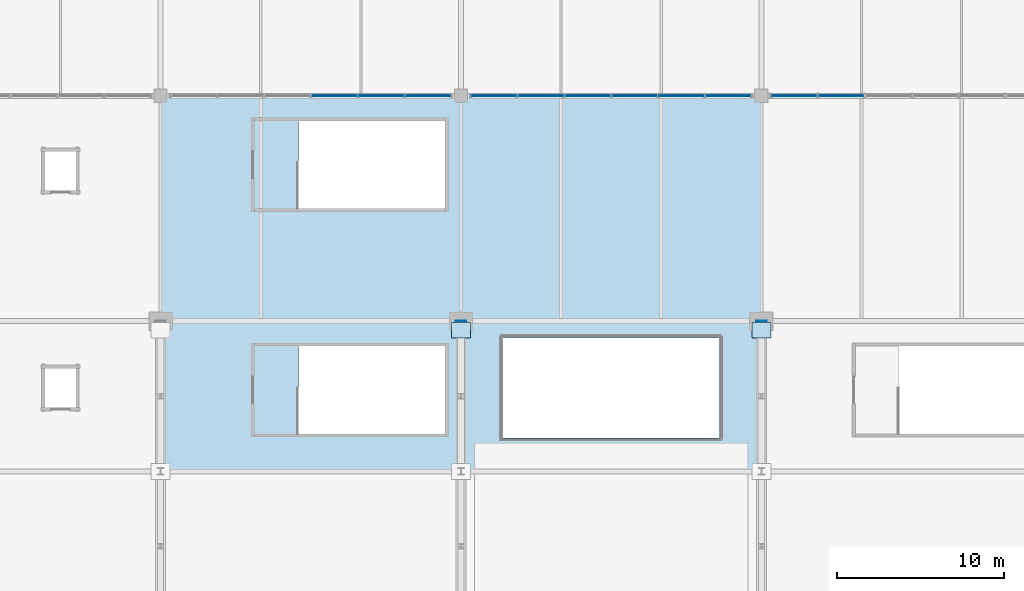
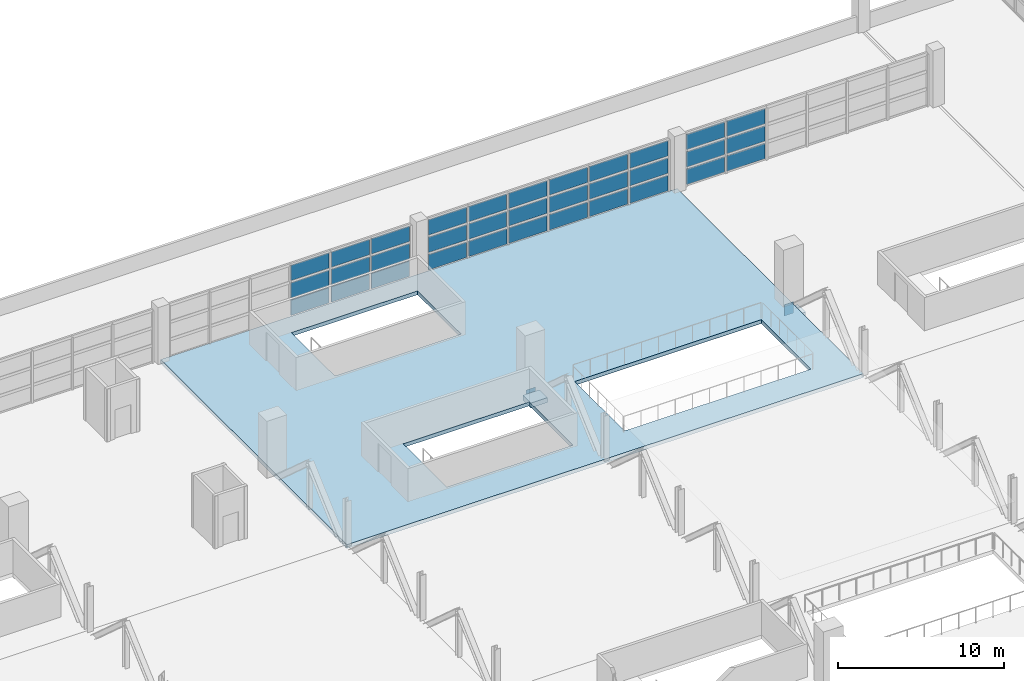
# One storey, part 108 of 136: 37 plates, 1 slab, 3 elements without a shape of their own.
"""IFC4 building model written with IfcOpenShell, lengths in metres."""

import ifcopenshell
import ifcopenshell.guid

model = None  # the IFC model being written
_history = None  # IfcOwnerHistory: only IFC2X3 demands one
_inside = {}  # id of a spatial element -> (the spatial element, [elements in it])
_under = {}  # id of a project, library or spatial element -> (it, [spatial elements below it])
_declared = {}  # id of a project -> (the project, [libraries it declares])
_typed = {}  # id of a type object -> (the type object, [elements of that type])
_made_of = {}  # id of a material, layer set ... -> (it, [elements and type objects made of it])


def new_model(schema):
    """Start an empty IFC model of exactly this schema.

    Asked for "IFC4X3", IfcOpenShell would pick the latest addendum, in which some entities
    have other attributes; the version numbers below select the first issue.
    IFC2X3 requires an IfcOwnerHistory on every rooted entity: one is made here for all.
    """
    global model, _history
    if schema == "IFC4X3":
        model = ifcopenshell.file(schema_version=(4, 3, 0, 0))
    else:
        model = ifcopenshell.file(schema=schema)
    _inside.clear()
    _under.clear()
    _declared.clear()
    _typed.clear()
    _made_of.clear()
    _history = None
    if model.schema == "IFC2X3":
        org = make("IfcOrganization", Name="unknown")
        user = make(
            "IfcPersonAndOrganization",
            ThePerson=make("IfcPerson", FamilyName="unknown"),
            TheOrganization=org,
        )
        app = make(
            "IfcApplication",
            ApplicationDeveloper=org,
            Version="unknown",
            ApplicationFullName="unknown",
            ApplicationIdentifier="unknown",
        )
        _history = make(
            "IfcOwnerHistory",
            OwningUser=user,
            OwningApplication=app,
            ChangeAction="ADDED",
            CreationDate=0,
        )
    return model


def make(cls, **values):
    """One entity of the class cls with the attributes given. An attribute that is None is left unset."""
    return model.create_entity(
        cls, **{name: value for name, value in values.items() if value is not None}
    )


def rooted(cls, **values):
    """An entity with a GlobalId (a new one), such as an element, a storey or a relation."""
    return make(cls, GlobalId=ifcopenshell.guid.new(), OwnerHistory=_history, **values)


def si_unit(unit_type, name, prefix=None):
    """IfcSIUnit, for example si_unit("LENGTHUNIT", "METRE", prefix="MILLI")."""
    return make("IfcSIUnit", UnitType=unit_type, Prefix=prefix, Name=name)


def assignment(units):
    """IfcUnitAssignment: the units of a project."""
    return None if units is None else make("IfcUnitAssignment", Units=units)


def point(xyz):
    """IfcCartesianPoint."""
    return None if xyz is None else make("IfcCartesianPoint", Coordinates=xyz)


def direction(xyz):
    """IfcDirection."""
    return None if xyz is None else make("IfcDirection", DirectionRatios=xyz)


def frame(location, z_axis=None, x_axis=None):
    """IfcAxis2Placement3D, a coordinate frame: its origin and axes. An axis left out is left unset."""
    return make(
        "IfcAxis2Placement3D",
        Location=point(location),
        Axis=direction(z_axis),
        RefDirection=direction(x_axis),
    )


def frame_2d(location, x_axis=None):
    """IfcAxis2Placement2D, a coordinate frame in the plane: its origin and x axis."""
    return make(
        "IfcAxis2Placement2D", Location=point(location), RefDirection=direction(x_axis)
    )


def origin():
    """The frame at (0, 0, 0) with its axes left unset."""
    return frame((0.0, 0.0, 0.0))


def origin_2d():
    """The frame at (0, 0) in the plane with its x axis left unset."""
    return frame_2d((0.0, 0.0))


def place(relative_to, where):
    """IfcLocalPlacement: puts the frame where relative to a parent placement (None: the world)."""
    return make(
        "IfcLocalPlacement", PlacementRelTo=relative_to, RelativePlacement=where
    )


def context(
    kind, dimensions, precision=None, world=None, true_north=None, identifier=None
):
    """IfcGeometricRepresentationContext, for example the 3D "Model" context."""
    return make(
        "IfcGeometricRepresentationContext",
        ContextIdentifier=identifier,
        ContextType=kind,
        CoordinateSpaceDimension=dimensions,
        Precision=precision,
        WorldCoordinateSystem=world,
        TrueNorth=true_north,
    )


def subcontext(parent, identifier, kind, view, scale=None):
    """IfcGeometricRepresentationSubContext, for example "Body" below "Model"."""
    return make(
        "IfcGeometricRepresentationSubContext",
        ContextIdentifier=identifier,
        ContextType=kind,
        ParentContext=parent,
        TargetScale=scale,
        TargetView=view,
    )


def project(units=None, contexts=None):
    """IfcProject with its units and contexts."""
    return rooted(
        "IfcProject",
        Name="project",
        RepresentationContexts=contexts,
        UnitsInContext=assignment(units),
    )


def spatial(cls, under=None, at=None, **own):
    """A site, building, storey or space (cls), placed at a placement, below another one or the project."""
    s = rooted(cls, ObjectPlacement=at, **own)
    if under is not None:
        _under.setdefault(under.id(), (under, []))[1].append(s)
    return s


def polyline(points):
    """IfcPolyline through the points."""
    return make("IfcPolyline", Points=[point(p) for p in points])


def profile(cls, at=None, kind="AREA", **sizes):
    """A parametric profile (cls). Its sizes go by their IFC names, for example OverallWidth=200.0."""
    return make(cls, ProfileType=kind, Position=at, **sizes)


def rectangle(**sizes):
    """IfcRectangleProfileDef."""
    return profile("IfcRectangleProfileDef", **sizes)


def outline(outer, holes=None, kind="AREA"):
    """IfcArbitraryClosedProfileDef: a profile drawn as a closed curve; with holes, ...WithVoids."""
    if holes is None:
        return make("IfcArbitraryClosedProfileDef", ProfileType=kind, OuterCurve=outer)
    return make(
        "IfcArbitraryProfileDefWithVoids",
        ProfileType=kind,
        OuterCurve=outer,
        InnerCurves=holes,
    )


def extrude(swept, where, along, depth):
    """IfcExtrudedAreaSolid: the profile swept, set in the frame where, extruded along a direction by depth."""
    return make(
        "IfcExtrudedAreaSolid",
        SweptArea=swept,
        Position=where,
        ExtrudedDirection=direction(along),
        Depth=depth,
    )


def shape(context_of_items, identifier, shape_type, items):
    """IfcShapeRepresentation: the items that make up one representation, for example the "Body"."""
    return make(
        "IfcShapeRepresentation",
        ContextOfItems=context_of_items,
        RepresentationIdentifier=identifier,
        RepresentationType=shape_type,
        Items=items,
    )


def material(Name=None, Category=None):
    """IfcMaterial."""
    return make("IfcMaterial", Name=Name, Category=Category)


def layer(
    of_material, thickness, ventilated=None, Name=None, Category=None, Priority=None
):
    """IfcMaterialLayer: one layer of a wall or slab, of a material (None: an air gap)."""
    return make(
        "IfcMaterialLayer",
        Material=of_material,
        LayerThickness=thickness,
        IsVentilated=ventilated,
        Name=Name,
        Category=Category,
        Priority=Priority,
    )


def layer_set(layers, Name=None):
    """IfcMaterialLayerSet."""
    return make("IfcMaterialLayerSet", MaterialLayers=layers, LayerSetName=Name)


def made_of(thing, what):
    """Note that an element or type object is made of a material, layer set ...; save() writes the relation."""
    if what is not None:
        _made_of.setdefault(what.id(), (what, []))[1].append(thing)
    return thing


def type_object(cls, material=None, **own):
    """A type object (cls), such as IfcWallType, which elements share."""
    return made_of(rooted(cls, **own), material)


def element(
    cls,
    number,
    at=None,
    inside=None,
    cuts=None,
    type_object=None,
    material=None,
    context=None,
    identifier="Body",
    shape_type=None,
    held_by="IfcProductDefinitionShape",
    body=None,
    shapes=None,
    **own,
):
    """One element of the class cls, such as IfcWall. Its Tag is "e" and its number.

    at: its placement. inside: the storey or other place that contains it. cuts: it is an
    opening in that element (IfcRelVoidsElement). A single representation is given by context,
    identifier, shape_type and body (its items); several are given by shapes. held_by: the class
    of the entity that holds the representations. save() writes the other relations.
    """
    e = rooted(cls, Tag="e%d" % number, ObjectPlacement=at, **own)
    if body is not None:
        shapes = [shape(context, identifier, shape_type, body)]
    if shapes is not None:
        e.Representation = make(held_by, Representations=shapes)
    if inside is not None:
        _inside.setdefault(inside.id(), (inside, []))[1].append(e)
    if cuts is not None:
        rooted(
            "IfcRelVoidsElement", RelatingBuildingElement=cuts, RelatedOpeningElement=e
        )
    if type_object is not None:
        _typed.setdefault(type_object.id(), (type_object, []))[1].append(e)
    return made_of(e, material)


def aggregate(whole, parts):
    """IfcRelAggregates: a whole, such as a stair, and the parts it consists of."""
    return rooted("IfcRelAggregates", RelatingObject=whole, RelatedObjects=parts)


def save(model, path):
    """Write the relations noted so far, then the file.

    IfcRelAggregates (storeys below a building ...), IfcRelContainedInSpatialStructure (elements
    in a storey), IfcRelDefinesByType, IfcRelAssociatesMaterial and IfcRelDeclares: one each for
    every whole, place, type object, material and project.
    """
    for whole, parts in _under.values():
        aggregate(whole, parts)
    for where, things in _inside.values():
        rooted(
            "IfcRelContainedInSpatialStructure",
            RelatedElements=things,
            RelatingStructure=where,
        )
    for kind, things in _typed.values():
        rooted("IfcRelDefinesByType", RelatedObjects=things, RelatingType=kind)
    for what, things in _made_of.values():
        rooted("IfcRelAssociatesMaterial", RelatedObjects=things, RelatingMaterial=what)
    for by, libraries in _declared.values():
        rooted("IfcRelDeclares", RelatingContext=by, RelatedDefinitions=libraries)
    model.write(path)


model = new_model("IFC4")

# Units and contexts
model_context = context("Model", 3, precision=1e-05, world=origin(), true_north=direction((0.0, 1.0)))
body_context = subcontext(model_context, "Body", "Model", "MODEL_VIEW")
ifc_project = project(units=[si_unit("LENGTHUNIT", "METRE"), si_unit("AREAUNIT", "SQUARE_METRE"), si_unit("VOLUMEUNIT", "CUBIC_METRE"), si_unit("PLANEANGLEUNIT", "RADIAN"), si_unit("MASSUNIT", "GRAM", prefix="KILO")], contexts=[model_context])

# Site, building, storey
site_placement = place(None, origin())
site = spatial("IfcSite", under=ifc_project, at=site_placement, CompositionType="ELEMENT")
building_placement = place(site_placement, origin())
building = spatial("IfcBuilding", under=site, at=building_placement, Name="Chuanluo Vaults Station", CompositionType="ELEMENT")
storey_placement = place(building_placement, frame((0.0, 0.0, 6.60009765625)))
storey = spatial("IfcBuildingStorey", under=building, at=storey_placement, Name="L01", CompositionType="ELEMENT", Elevation=6.60009765625)

# Curtain wall, plates
ifc_material_1 = material(Name="Anodised aluminium 6063-T6", Category="aluminium")
curtain_wall_type_1 = type_object("IfcCurtainWallType", Name="CW-SYS-15", PredefinedType="NOTDEFINED", material=ifc_material_1)
curtain_wall_1_placement = place(storey_placement, origin())
curtain_wall_1 = element("IfcCurtainWall", 1, at=curtain_wall_1_placement, inside=storey, type_object=curtain_wall_type_1, Name="Over-track V4 north facade CW", PredefinedType="NOTDEFINED")
ifc_material_2 = material(Name="Ceramic-fritted spandrel glass", Category="glass")
ifc_layer_1 = layer(ifc_material_2, 0.06396484375)
ifc_layer_set_1 = layer_set([ifc_layer_1], Name="Ceramic-fritted spandrel glass")
plate_type_1 = type_object("IfcPlateType", Name="CWP-SPN-42", PredefinedType="SHEET", material=ifc_layer_set_1)
plate_1_placement = place(storey_placement, frame((64.404296875, 117.0, 0.080078125), z_axis=(0.0, 0.0, 1.0), x_axis=(1.0, 0.0, 0.0)))
plate_1 = element("IfcPlate", 2, at=plate_1_placement, type_object=plate_type_1, Name="Over-track V4 north facade CW glazed panel 4.1", PredefinedType="SHEET", context=body_context, shape_type="SweptSolid", body=[
    extrude(rectangle(XDim=2.648193359375, YDim=0.06396484375, at=origin_2d()), origin(), (0.0, 0.0, 1.0), 1.123291015625),
])
plate_2_placement = place(storey_placement, frame((67.21240234375, 117.0, 0.080078125), z_axis=(0.0, 0.0, 1.0), x_axis=(1.0, 0.0, 0.0)))
plate_2 = element("IfcPlate", 3, at=plate_2_placement, type_object=plate_type_1, Name="Over-track V4 north facade CW glazed panel 5.1", PredefinedType="SHEET", context=body_context, shape_type="SweptSolid", body=[
    extrude(rectangle(XDim=2.648193359375, YDim=0.06396484375, at=origin_2d()), origin(), (0.0, 0.0, 1.0), 1.123291015625),
])
plate_3_placement = place(storey_placement, frame((70.020751953125, 117.0, 0.080078125), z_axis=(0.0, 0.0, 1.0), x_axis=(1.0, 0.0, 0.0)))
plate_3 = element("IfcPlate", 4, at=plate_3_placement, type_object=plate_type_1, Name="Over-track V4 north facade CW glazed panel 6.1", PredefinedType="SHEET", context=body_context, shape_type="SweptSolid", body=[
    extrude(rectangle(XDim=2.648193359375, YDim=0.06396484375, at=origin_2d()), origin(), (0.0, 0.0, 1.0), 1.123291015625),
])

ifc_material_3 = material(Name="Anodised aluminium 6063-T6", Category="aluminium")
curtain_wall_type_2 = type_object("IfcCurtainWallType", Name="CW-SYS-19", PredefinedType="NOTDEFINED", material=ifc_material_3)
curtain_wall_2_placement = place(storey_placement, origin())
curtain_wall_2 = element("IfcCurtainWall", 5, at=curtain_wall_2_placement, inside=storey, type_object=curtain_wall_type_2, Name="Over-track V5 north facade CW", PredefinedType="NOTDEFINED")
plate_4_placement = place(storey_placement, frame((73.979248046875, 117.0, 0.080078125), z_axis=(0.0, 0.0, 1.0), x_axis=(1.0, 0.0, 0.0)))
plate_4 = element("IfcPlate", 6, at=plate_4_placement, type_object=plate_type_1, Name="Over-track V5 north facade CW glazed panel 1.1", PredefinedType="SHEET", context=body_context, shape_type="SweptSolid", body=[
    extrude(rectangle(XDim=2.648193359375, YDim=0.06396484375, at=origin_2d()), origin(), (0.0, 0.0, 1.0), 1.123291015625),
])
plate_5_placement = place(storey_placement, frame((76.78759765625, 117.0, 0.080078125), z_axis=(0.0, 0.0, 1.0), x_axis=(1.0, 0.0, 0.0)))
plate_5 = element("IfcPlate", 7, at=plate_5_placement, type_object=plate_type_1, Name="Over-track V5 north facade CW glazed panel 2.1", PredefinedType="SHEET", context=body_context, shape_type="SweptSolid", body=[
    extrude(rectangle(XDim=2.648193359375, YDim=0.06396484375, at=origin_2d()), origin(), (0.0, 0.0, 1.0), 1.123291015625),
])
plate_6_placement = place(storey_placement, frame((79.595703125, 117.0, 0.080078125), z_axis=(0.0, 0.0, 1.0), x_axis=(1.0, 0.0, 0.0)))
plate_6 = element("IfcPlate", 8, at=plate_6_placement, type_object=plate_type_1, Name="Over-track V5 north facade CW glazed panel 3.1", PredefinedType="SHEET", context=body_context, shape_type="SweptSolid", body=[
    extrude(rectangle(XDim=2.648193359375, YDim=0.06396484375, at=origin_2d()), origin(), (0.0, 0.0, 1.0), 1.123291015625),
])
plate_7_placement = place(storey_placement, frame((82.404296875, 117.0, 0.080078125), z_axis=(0.0, 0.0, 1.0), x_axis=(1.0, 0.0, 0.0)))
plate_7 = element("IfcPlate", 9, at=plate_7_placement, type_object=plate_type_1, Name="Over-track V5 north facade CW glazed panel 4.1", PredefinedType="SHEET", context=body_context, shape_type="SweptSolid", body=[
    extrude(rectangle(XDim=2.648193359375, YDim=0.06396484375, at=origin_2d()), origin(), (0.0, 0.0, 1.0), 1.123291015625),
])
plate_8_placement = place(storey_placement, frame((85.21240234375, 117.0, 0.080078125), z_axis=(0.0, 0.0, 1.0), x_axis=(1.0, 0.0, 0.0)))
plate_8 = element("IfcPlate", 10, at=plate_8_placement, type_object=plate_type_1, Name="Over-track V5 north facade CW glazed panel 5.1", PredefinedType="SHEET", context=body_context, shape_type="SweptSolid", body=[
    extrude(rectangle(XDim=2.648193359375, YDim=0.06396484375, at=origin_2d()), origin(), (0.0, 0.0, 1.0), 1.123291015625),
])
plate_9_placement = place(storey_placement, frame((88.020751953125, 117.0, 0.080078125), z_axis=(0.0, 0.0, 1.0), x_axis=(1.0, 0.0, 0.0)))
plate_9 = element("IfcPlate", 11, at=plate_9_placement, type_object=plate_type_1, Name="Over-track V5 north facade CW glazed panel 6.1", PredefinedType="SHEET", context=body_context, shape_type="SweptSolid", body=[
    extrude(rectangle(XDim=2.648193359375, YDim=0.06396484375, at=origin_2d()), origin(), (0.0, 0.0, 1.0), 1.123291015625),
])

ifc_material_4 = material(Name="Anodised aluminium 6063-T6", Category="aluminium")
curtain_wall_type_3 = type_object("IfcCurtainWallType", Name="CW-SYS-22", PredefinedType="NOTDEFINED", material=ifc_material_4)
curtain_wall_3_placement = place(storey_placement, origin())
curtain_wall_3 = element("IfcCurtainWall", 12, at=curtain_wall_3_placement, inside=storey, type_object=curtain_wall_type_3, Name="Over-track V6 north facade CW", PredefinedType="NOTDEFINED")
ifc_material_5 = material(Name="Ceramic-fritted spandrel glass", Category="glass")
ifc_layer_2 = layer(ifc_material_5, 0.070068359375)
ifc_layer_set_2 = layer_set([ifc_layer_2], Name="Ceramic-fritted spandrel glass")
plate_type_2 = type_object("IfcPlateType", Name="CWP-SPN-50", PredefinedType="SHEET", material=ifc_layer_set_2)
plate_10_placement = place(storey_placement, frame((91.979248046875, 117.0, 0.080078125), z_axis=(0.0, 0.0, 1.0), x_axis=(1.0, 0.0, 0.0)))
plate_10 = element("IfcPlate", 13, at=plate_10_placement, type_object=plate_type_2, Name="Over-track V6 north facade CW glazed panel 1.1", PredefinedType="SHEET", context=body_context, shape_type="SweptSolid", body=[
    extrude(rectangle(XDim=2.648193359375, YDim=0.070068359375, at=origin_2d()), origin(), (0.0, 0.0, 1.0), 1.123291015625),
])
plate_11_placement = place(storey_placement, frame((94.78759765625, 117.0, 0.080078125), z_axis=(0.0, 0.0, 1.0), x_axis=(1.0, 0.0, 0.0)))
plate_11 = element("IfcPlate", 14, at=plate_11_placement, type_object=plate_type_2, Name="Over-track V6 north facade CW glazed panel 2.1", PredefinedType="SHEET", context=body_context, shape_type="SweptSolid", body=[
    extrude(rectangle(XDim=2.648193359375, YDim=0.070068359375, at=origin_2d()), origin(), (0.0, 0.0, 1.0), 1.123291015625),
])

# Plate
ifc_material_6 = material(Name="Double-silver Low-E laminated glass", Category="glass")
ifc_layer_3 = layer(ifc_material_6, 0.048095703125)
ifc_layer_set_3 = layer_set([ifc_layer_3], Name="Double-silver Low-E laminated glass")
plate_type_3 = type_object("IfcPlateType", Name="CWP-VIS-32", PredefinedType="CURTAIN_PANEL", material=ifc_layer_set_3)
plate_12_placement = place(storey_placement, frame((64.404296875, 117.0, 1.36328125), z_axis=(0.0, 0.0, 1.0), x_axis=(1.0, 0.0, 0.0)))
plate_12 = element("IfcPlate", 15, at=plate_12_placement, type_object=plate_type_3, Name="Over-track V4 north facade CW glazed panel 4.2", PredefinedType="CURTAIN_PANEL", context=body_context, shape_type="SweptSolid", body=[
    extrude(rectangle(XDim=2.648193359375, YDim=0.048095703125, at=origin_2d()), origin(), (0.0, 0.0, 1.0), 1.123291015625),
])

plate_13_placement = place(storey_placement, frame((64.404296875, 117.0, 2.646484375), z_axis=(0.0, 0.0, 1.0), x_axis=(1.0, 0.0, 0.0)))
plate_13 = element("IfcPlate", 16, at=plate_13_placement, type_object=plate_type_3, Name="Over-track V4 north facade CW glazed panel 4.3", PredefinedType="CURTAIN_PANEL", context=body_context, shape_type="SweptSolid", body=[
    extrude(rectangle(XDim=2.648193359375, YDim=0.048095703125, at=origin_2d()), origin(), (0.0, 0.0, 1.0), 1.123291015625),
])

plate_14_placement = place(storey_placement, frame((67.21240234375, 117.0, 1.36328125), z_axis=(0.0, 0.0, 1.0), x_axis=(1.0, 0.0, 0.0)))
plate_14 = element("IfcPlate", 17, at=plate_14_placement, type_object=plate_type_3, Name="Over-track V4 north facade CW glazed panel 5.2", PredefinedType="CURTAIN_PANEL", context=body_context, shape_type="SweptSolid", body=[
    extrude(rectangle(XDim=2.648193359375, YDim=0.048095703125, at=origin_2d()), origin(), (0.0, 0.0, 1.0), 1.123291015625),
])

plate_15_placement = place(storey_placement, frame((67.21240234375, 117.0, 2.646484375), z_axis=(0.0, 0.0, 1.0), x_axis=(1.0, 0.0, 0.0)))
plate_15 = element("IfcPlate", 18, at=plate_15_placement, type_object=plate_type_3, Name="Over-track V4 north facade CW glazed panel 5.3", PredefinedType="CURTAIN_PANEL", context=body_context, shape_type="SweptSolid", body=[
    extrude(rectangle(XDim=2.648193359375, YDim=0.048095703125, at=origin_2d()), origin(), (0.0, 0.0, 1.0), 1.123291015625),
])

plate_16_placement = place(storey_placement, frame((70.020751953125, 117.0, 1.36328125), z_axis=(0.0, 0.0, 1.0), x_axis=(1.0, 0.0, 0.0)))
plate_16 = element("IfcPlate", 19, at=plate_16_placement, type_object=plate_type_3, Name="Over-track V4 north facade CW glazed panel 6.2", PredefinedType="CURTAIN_PANEL", context=body_context, shape_type="SweptSolid", body=[
    extrude(rectangle(XDim=2.648193359375, YDim=0.048095703125, at=origin_2d()), origin(), (0.0, 0.0, 1.0), 1.123291015625),
])

plate_17_placement = place(storey_placement, frame((70.020751953125, 117.0, 2.646484375), z_axis=(0.0, 0.0, 1.0), x_axis=(1.0, 0.0, 0.0)))
plate_17 = element("IfcPlate", 20, at=plate_17_placement, type_object=plate_type_3, Name="Over-track V4 north facade CW glazed panel 6.3", PredefinedType="CURTAIN_PANEL", context=body_context, shape_type="SweptSolid", body=[
    extrude(rectangle(XDim=2.648193359375, YDim=0.048095703125, at=origin_2d()), origin(), (0.0, 0.0, 1.0), 1.123291015625),
])

aggregate(curtain_wall_1, [plate_1, plate_12, plate_13, plate_2, plate_14, plate_15, plate_3, plate_16, plate_17])

plate_18_placement = place(storey_placement, frame((73.979248046875, 117.0, 1.36328125), z_axis=(0.0, 0.0, 1.0), x_axis=(1.0, 0.0, 0.0)))
plate_18 = element("IfcPlate", 21, at=plate_18_placement, type_object=plate_type_3, Name="Over-track V5 north facade CW glazed panel 1.2", PredefinedType="CURTAIN_PANEL", context=body_context, shape_type="SweptSolid", body=[
    extrude(rectangle(XDim=2.648193359375, YDim=0.048095703125, at=origin_2d()), origin(), (0.0, 0.0, 1.0), 1.123291015625),
])

plate_19_placement = place(storey_placement, frame((73.979248046875, 117.0, 2.646484375), z_axis=(0.0, 0.0, 1.0), x_axis=(1.0, 0.0, 0.0)))
plate_19 = element("IfcPlate", 22, at=plate_19_placement, type_object=plate_type_3, Name="Over-track V5 north facade CW glazed panel 1.3", PredefinedType="CURTAIN_PANEL", context=body_context, shape_type="SweptSolid", body=[
    extrude(rectangle(XDim=2.648193359375, YDim=0.048095703125, at=origin_2d()), origin(), (0.0, 0.0, 1.0), 1.123291015625),
])

plate_20_placement = place(storey_placement, frame((76.78759765625, 117.0, 1.36328125), z_axis=(0.0, 0.0, 1.0), x_axis=(1.0, 0.0, 0.0)))
plate_20 = element("IfcPlate", 23, at=plate_20_placement, type_object=plate_type_3, Name="Over-track V5 north facade CW glazed panel 2.2", PredefinedType="CURTAIN_PANEL", context=body_context, shape_type="SweptSolid", body=[
    extrude(rectangle(XDim=2.648193359375, YDim=0.048095703125, at=origin_2d()), origin(), (0.0, 0.0, 1.0), 1.123291015625),
])

plate_21_placement = place(storey_placement, frame((76.78759765625, 117.0, 2.646484375), z_axis=(0.0, 0.0, 1.0), x_axis=(1.0, 0.0, 0.0)))
plate_21 = element("IfcPlate", 24, at=plate_21_placement, type_object=plate_type_3, Name="Over-track V5 north facade CW glazed panel 2.3", PredefinedType="CURTAIN_PANEL", context=body_context, shape_type="SweptSolid", body=[
    extrude(rectangle(XDim=2.648193359375, YDim=0.048095703125, at=origin_2d()), origin(), (0.0, 0.0, 1.0), 1.123291015625),
])

plate_22_placement = place(storey_placement, frame((79.595703125, 117.0, 1.36328125), z_axis=(0.0, 0.0, 1.0), x_axis=(1.0, 0.0, 0.0)))
plate_22 = element("IfcPlate", 25, at=plate_22_placement, type_object=plate_type_3, Name="Over-track V5 north facade CW glazed panel 3.2", PredefinedType="CURTAIN_PANEL", context=body_context, shape_type="SweptSolid", body=[
    extrude(rectangle(XDim=2.648193359375, YDim=0.048095703125, at=origin_2d()), origin(), (0.0, 0.0, 1.0), 1.123291015625),
])

plate_23_placement = place(storey_placement, frame((79.595703125, 117.0, 2.646484375), z_axis=(0.0, 0.0, 1.0), x_axis=(1.0, 0.0, 0.0)))
plate_23 = element("IfcPlate", 26, at=plate_23_placement, type_object=plate_type_3, Name="Over-track V5 north facade CW glazed panel 3.3", PredefinedType="CURTAIN_PANEL", context=body_context, shape_type="SweptSolid", body=[
    extrude(rectangle(XDim=2.648193359375, YDim=0.048095703125, at=origin_2d()), origin(), (0.0, 0.0, 1.0), 1.123291015625),
])

plate_24_placement = place(storey_placement, frame((82.404296875, 117.0, 1.36328125), z_axis=(0.0, 0.0, 1.0), x_axis=(1.0, 0.0, 0.0)))
plate_24 = element("IfcPlate", 27, at=plate_24_placement, type_object=plate_type_3, Name="Over-track V5 north facade CW glazed panel 4.2", PredefinedType="CURTAIN_PANEL", context=body_context, shape_type="SweptSolid", body=[
    extrude(rectangle(XDim=2.648193359375, YDim=0.048095703125, at=origin_2d()), origin(), (0.0, 0.0, 1.0), 1.123291015625),
])

plate_25_placement = place(storey_placement, frame((82.404296875, 117.0, 2.646484375), z_axis=(0.0, 0.0, 1.0), x_axis=(1.0, 0.0, 0.0)))
plate_25 = element("IfcPlate", 28, at=plate_25_placement, type_object=plate_type_3, Name="Over-track V5 north facade CW glazed panel 4.3", PredefinedType="CURTAIN_PANEL", context=body_context, shape_type="SweptSolid", body=[
    extrude(rectangle(XDim=2.648193359375, YDim=0.048095703125, at=origin_2d()), origin(), (0.0, 0.0, 1.0), 1.123291015625),
])

plate_26_placement = place(storey_placement, frame((85.21240234375, 117.0, 1.36328125), z_axis=(0.0, 0.0, 1.0), x_axis=(1.0, 0.0, 0.0)))
plate_26 = element("IfcPlate", 29, at=plate_26_placement, type_object=plate_type_3, Name="Over-track V5 north facade CW glazed panel 5.2", PredefinedType="CURTAIN_PANEL", context=body_context, shape_type="SweptSolid", body=[
    extrude(rectangle(XDim=2.648193359375, YDim=0.048095703125, at=origin_2d()), origin(), (0.0, 0.0, 1.0), 1.123291015625),
])

plate_27_placement = place(storey_placement, frame((85.21240234375, 117.0, 2.646484375), z_axis=(0.0, 0.0, 1.0), x_axis=(1.0, 0.0, 0.0)))
plate_27 = element("IfcPlate", 30, at=plate_27_placement, type_object=plate_type_3, Name="Over-track V5 north facade CW glazed panel 5.3", PredefinedType="CURTAIN_PANEL", context=body_context, shape_type="SweptSolid", body=[
    extrude(rectangle(XDim=2.648193359375, YDim=0.048095703125, at=origin_2d()), origin(), (0.0, 0.0, 1.0), 1.123291015625),
])

plate_28_placement = place(storey_placement, frame((88.020751953125, 117.0, 1.36328125), z_axis=(0.0, 0.0, 1.0), x_axis=(1.0, 0.0, 0.0)))
plate_28 = element("IfcPlate", 31, at=plate_28_placement, type_object=plate_type_3, Name="Over-track V5 north facade CW glazed panel 6.2", PredefinedType="CURTAIN_PANEL", context=body_context, shape_type="SweptSolid", body=[
    extrude(rectangle(XDim=2.648193359375, YDim=0.048095703125, at=origin_2d()), origin(), (0.0, 0.0, 1.0), 1.123291015625),
])

plate_29_placement = place(storey_placement, frame((88.020751953125, 117.0, 2.646484375), z_axis=(0.0, 0.0, 1.0), x_axis=(1.0, 0.0, 0.0)))
plate_29 = element("IfcPlate", 32, at=plate_29_placement, type_object=plate_type_3, Name="Over-track V5 north facade CW glazed panel 6.3", PredefinedType="CURTAIN_PANEL", context=body_context, shape_type="SweptSolid", body=[
    extrude(rectangle(XDim=2.648193359375, YDim=0.048095703125, at=origin_2d()), origin(), (0.0, 0.0, 1.0), 1.123291015625),
])

aggregate(curtain_wall_2, [plate_4, plate_18, plate_19, plate_5, plate_20, plate_21, plate_6, plate_22, plate_23, plate_7, plate_24, plate_25, plate_8, plate_26, plate_27, plate_9, plate_28, plate_29])

ifc_material_7 = material(Name="Double-silver Low-E laminated glass", Category="glass")
ifc_layer_4 = layer(ifc_material_7, 0.053955078125)
ifc_layer_set_4 = layer_set([ifc_layer_4], Name="Double-silver Low-E laminated glass")
plate_type_4 = type_object("IfcPlateType", Name="CWP-VIS-36", PredefinedType="CURTAIN_PANEL", material=ifc_layer_set_4)
plate_30_placement = place(storey_placement, frame((91.979248046875, 117.0, 1.36328125), z_axis=(0.0, 0.0, 1.0), x_axis=(1.0, 0.0, 0.0)))
plate_30 = element("IfcPlate", 33, at=plate_30_placement, type_object=plate_type_4, Name="Over-track V6 north facade CW glazed panel 1.2", PredefinedType="CURTAIN_PANEL", context=body_context, shape_type="SweptSolid", body=[
    extrude(rectangle(XDim=2.648193359375, YDim=0.053955078125, at=origin_2d()), origin(), (0.0, 0.0, 1.0), 1.123291015625),
])

plate_31_placement = place(storey_placement, frame((91.979248046875, 117.0, 2.646484375), z_axis=(0.0, 0.0, 1.0), x_axis=(1.0, 0.0, 0.0)))
plate_31 = element("IfcPlate", 34, at=plate_31_placement, type_object=plate_type_4, Name="Over-track V6 north facade CW glazed panel 1.3", PredefinedType="CURTAIN_PANEL", context=body_context, shape_type="SweptSolid", body=[
    extrude(rectangle(XDim=2.648193359375, YDim=0.053955078125, at=origin_2d()), origin(), (0.0, 0.0, 1.0), 1.123291015625),
])

plate_32_placement = place(storey_placement, frame((94.78759765625, 117.0, 1.36328125), z_axis=(0.0, 0.0, 1.0), x_axis=(1.0, 0.0, 0.0)))
plate_32 = element("IfcPlate", 35, at=plate_32_placement, type_object=plate_type_4, Name="Over-track V6 north facade CW glazed panel 2.2", PredefinedType="CURTAIN_PANEL", context=body_context, shape_type="SweptSolid", body=[
    extrude(rectangle(XDim=2.648193359375, YDim=0.053955078125, at=origin_2d()), origin(), (0.0, 0.0, 1.0), 1.123291015625),
])

plate_33_placement = place(storey_placement, frame((94.78759765625, 117.0, 2.646484375), z_axis=(0.0, 0.0, 1.0), x_axis=(1.0, 0.0, 0.0)))
plate_33 = element("IfcPlate", 36, at=plate_33_placement, type_object=plate_type_4, Name="Over-track V6 north facade CW glazed panel 2.3", PredefinedType="CURTAIN_PANEL", context=body_context, shape_type="SweptSolid", body=[
    extrude(rectangle(XDim=2.648193359375, YDim=0.053955078125, at=origin_2d()), origin(), (0.0, 0.0, 1.0), 1.123291015625),
])

aggregate(curtain_wall_3, [plate_10, plate_30, plate_31, plate_11, plate_32, plate_33])

# Plates
ifc_material_8 = material(Name="Steel Q390C", Category="steel")
ifc_layer_5 = layer(ifc_material_8, 0.02587890625)
ifc_layer_set_5 = layer_set([ifc_layer_5], Name="Steel Q390C")
plate_type_5 = type_object("IfcPlateType", Name="PLT-CAP-26", PredefinedType="USERDEFINED", material=ifc_layer_set_5)
for number, where, z_axis, x_axis, name in (
    (37, (72.0, 103.5, -1.10009765625), (0.0, 0.0, 1.0), (1.0, 0.0, 0.0), "Truss TT-5 bottom chord end cap N"),
    (38, (90.0, 103.5, -1.10009765625), (0.0, 0.0, 1.0), (1.0, 0.0, 0.0), "Truss TT-6 bottom chord end cap N"),
):
    element("IfcPlate", number, at=place(storey_placement, frame(where, z_axis=z_axis, x_axis=x_axis)), inside=storey, type_object=plate_type_5, Name=name, ObjectType="COVER_PLATE", PredefinedType="USERDEFINED", context=body_context, shape_type="SweptSolid", body=[
        extrude(rectangle(XDim=0.639892578125, YDim=0.02587890625, at=origin_2d()), origin(), (0.0, 0.0, 1.0), 0.840087890625),
    ])
ifc_material_9 = material(Name="Steel Q390C", Category="steel")
ifc_layer_6 = layer(ifc_material_9, 0.031982421875)
ifc_layer_set_6 = layer_set([ifc_layer_6], Name="Steel Q390C")
plate_type_6 = type_object("IfcPlateType", Name="PLT-GUS-32", PredefinedType="USERDEFINED", material=ifc_layer_set_6)
for number, where, z_axis, x_axis, name in (
    (39, (72.0, 102.949951171875, -0.8603515625), (0.0, 0.0, 1.0), (1.0, 0.0, 0.0), "Structural steel node diaphragm 0025"),
    (40, (90.0, 102.949951171875, -0.8603515625), (0.0, 0.0, 1.0), (1.0, 0.0, 0.0), "Structural steel node diaphragm 0030"),
):
    element("IfcPlate", number, at=place(storey_placement, frame(where, z_axis=z_axis, x_axis=x_axis)), inside=storey, type_object=plate_type_6, Name=name, ObjectType="GUSSET_PLATE", PredefinedType="USERDEFINED", context=body_context, shape_type="SweptSolid", body=[
        extrude(rectangle(XDim=1.14990234375, YDim=0.949951171875, at=origin_2d()), origin(), (0.0, 0.0, 1.0), 0.360107421875),
    ])

# Slab
ifc_material_10 = material(Name="Concrete C40", Category="concrete")
ifc_layer_7 = layer(ifc_material_10, 0.280029296875)
ifc_layer_set_7 = layer_set([ifc_layer_7], Name="Concrete C40")
slab_type = type_object("IfcSlabType", Name="SLB-CON-280", PredefinedType="FLOOR", material=ifc_layer_set_7)
slab_placement = place(storey_placement, frame((0.0, 0.0, -0.280029296875)))
element("IfcSlab", 41, at=slab_placement, inside=storey, type_object=slab_type, Name="L01 OTRK slab 06", PredefinedType="FLOOR", context=body_context, shape_type="SweptSolid", body=[
    extrude(outline(polyline([(54.0, 94.5), (90.0, 94.5), (90.0, 117.0), (54.0, 117.0), (54.0, 94.5)]), holes=[polyline([(62.25390625, 96.75), (71.050048828125, 96.75), (71.050048828125, 102.0), (62.25390625, 102.0), (62.25390625, 96.75)]), polyline([(62.25390625, 110.25), (71.050048828125, 110.25), (71.050048828125, 115.5), (62.25390625, 115.5), (62.25390625, 110.25)]), polyline([(74.5, 96.5), (87.5, 96.5), (87.5, 102.5), (74.5, 102.5), (74.5, 96.5)])]), origin(), (0.0, 0.0, 1.0), 0.280029296875),
])

save(model, "model.ifc")
